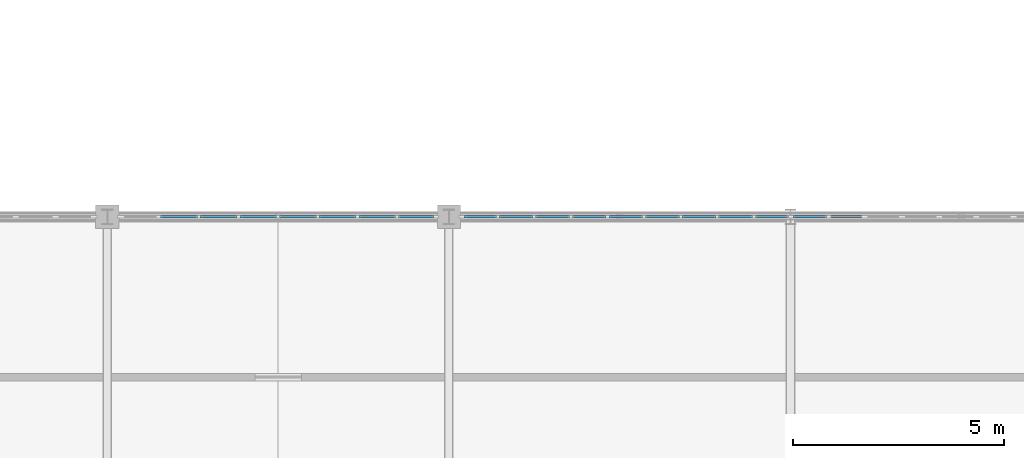
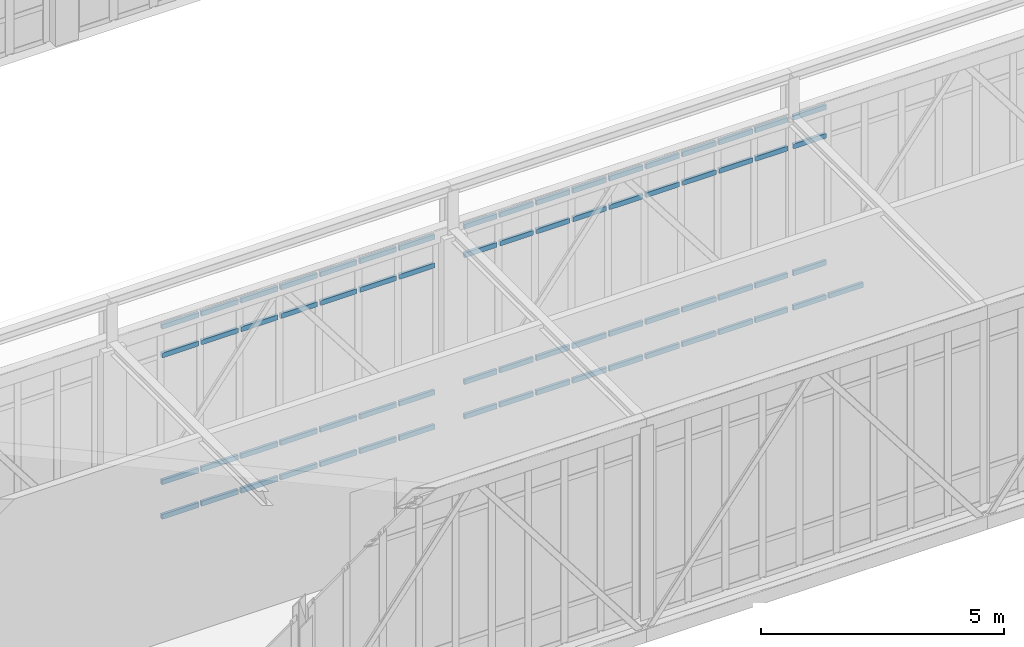
# One storey, part 59 of 107: 69 members, 3 elements without a shape of their own.
"""IFC4 building model written with IfcOpenShell, lengths in metres."""

import ifcopenshell
import ifcopenshell.guid

model = None  # the IFC model being written
_history = None  # IfcOwnerHistory: only IFC2X3 demands one
_inside = {}  # id of a spatial element -> (the spatial element, [elements in it])
_under = {}  # id of a project, library or spatial element -> (it, [spatial elements below it])
_declared = {}  # id of a project -> (the project, [libraries it declares])
_typed = {}  # id of a type object -> (the type object, [elements of that type])
_made_of = {}  # id of a material, layer set ... -> (it, [elements and type objects made of it])


def new_model(schema):
    """Start an empty IFC model of exactly this schema.

    Asked for "IFC4X3", IfcOpenShell would pick the latest addendum, in which some entities
    have other attributes; the version numbers below select the first issue.
    IFC2X3 requires an IfcOwnerHistory on every rooted entity: one is made here for all.
    """
    global model, _history
    if schema == "IFC4X3":
        model = ifcopenshell.file(schema_version=(4, 3, 0, 0))
    else:
        model = ifcopenshell.file(schema=schema)
    _inside.clear()
    _under.clear()
    _declared.clear()
    _typed.clear()
    _made_of.clear()
    _history = None
    if model.schema == "IFC2X3":
        org = make("IfcOrganization", Name="unknown")
        user = make(
            "IfcPersonAndOrganization",
            ThePerson=make("IfcPerson", FamilyName="unknown"),
            TheOrganization=org,
        )
        app = make(
            "IfcApplication",
            ApplicationDeveloper=org,
            Version="unknown",
            ApplicationFullName="unknown",
            ApplicationIdentifier="unknown",
        )
        _history = make(
            "IfcOwnerHistory",
            OwningUser=user,
            OwningApplication=app,
            ChangeAction="ADDED",
            CreationDate=0,
        )
    return model


def make(cls, **values):
    """One entity of the class cls with the attributes given. An attribute that is None is left unset."""
    return model.create_entity(
        cls, **{name: value for name, value in values.items() if value is not None}
    )


def rooted(cls, **values):
    """An entity with a GlobalId (a new one), such as an element, a storey or a relation."""
    return make(cls, GlobalId=ifcopenshell.guid.new(), OwnerHistory=_history, **values)


def si_unit(unit_type, name, prefix=None):
    """IfcSIUnit, for example si_unit("LENGTHUNIT", "METRE", prefix="MILLI")."""
    return make("IfcSIUnit", UnitType=unit_type, Prefix=prefix, Name=name)


def assignment(units):
    """IfcUnitAssignment: the units of a project."""
    return None if units is None else make("IfcUnitAssignment", Units=units)


def point(xyz):
    """IfcCartesianPoint."""
    return None if xyz is None else make("IfcCartesianPoint", Coordinates=xyz)


def direction(xyz):
    """IfcDirection."""
    return None if xyz is None else make("IfcDirection", DirectionRatios=xyz)


def frame(location, z_axis=None, x_axis=None):
    """IfcAxis2Placement3D, a coordinate frame: its origin and axes. An axis left out is left unset."""
    return make(
        "IfcAxis2Placement3D",
        Location=point(location),
        Axis=direction(z_axis),
        RefDirection=direction(x_axis),
    )


def frame_2d(location, x_axis=None):
    """IfcAxis2Placement2D, a coordinate frame in the plane: its origin and x axis."""
    return make(
        "IfcAxis2Placement2D", Location=point(location), RefDirection=direction(x_axis)
    )


def origin():
    """The frame at (0, 0, 0) with its axes left unset."""
    return frame((0.0, 0.0, 0.0))


def origin_2d():
    """The frame at (0, 0) in the plane with its x axis left unset."""
    return frame_2d((0.0, 0.0))


def place(relative_to, where):
    """IfcLocalPlacement: puts the frame where relative to a parent placement (None: the world)."""
    return make(
        "IfcLocalPlacement", PlacementRelTo=relative_to, RelativePlacement=where
    )


def context(
    kind, dimensions, precision=None, world=None, true_north=None, identifier=None
):
    """IfcGeometricRepresentationContext, for example the 3D "Model" context."""
    return make(
        "IfcGeometricRepresentationContext",
        ContextIdentifier=identifier,
        ContextType=kind,
        CoordinateSpaceDimension=dimensions,
        Precision=precision,
        WorldCoordinateSystem=world,
        TrueNorth=true_north,
    )


def subcontext(parent, identifier, kind, view, scale=None):
    """IfcGeometricRepresentationSubContext, for example "Body" below "Model"."""
    return make(
        "IfcGeometricRepresentationSubContext",
        ContextIdentifier=identifier,
        ContextType=kind,
        ParentContext=parent,
        TargetScale=scale,
        TargetView=view,
    )


def project(units=None, contexts=None):
    """IfcProject with its units and contexts."""
    return rooted(
        "IfcProject",
        Name="project",
        RepresentationContexts=contexts,
        UnitsInContext=assignment(units),
    )


def spatial(cls, under=None, at=None, **own):
    """A site, building, storey or space (cls), placed at a placement, below another one or the project."""
    s = rooted(cls, ObjectPlacement=at, **own)
    if under is not None:
        _under.setdefault(under.id(), (under, []))[1].append(s)
    return s


def profile(cls, at=None, kind="AREA", **sizes):
    """A parametric profile (cls). Its sizes go by their IFC names, for example OverallWidth=200.0."""
    return make(cls, ProfileType=kind, Position=at, **sizes)


def rectangle(**sizes):
    """IfcRectangleProfileDef."""
    return profile("IfcRectangleProfileDef", **sizes)


def extrude(swept, where, along, depth):
    """IfcExtrudedAreaSolid: the profile swept, set in the frame where, extruded along a direction by depth."""
    return make(
        "IfcExtrudedAreaSolid",
        SweptArea=swept,
        Position=where,
        ExtrudedDirection=direction(along),
        Depth=depth,
    )


def shape(context_of_items, identifier, shape_type, items):
    """IfcShapeRepresentation: the items that make up one representation, for example the "Body"."""
    return make(
        "IfcShapeRepresentation",
        ContextOfItems=context_of_items,
        RepresentationIdentifier=identifier,
        RepresentationType=shape_type,
        Items=items,
    )


def material(Name=None, Category=None):
    """IfcMaterial."""
    return make("IfcMaterial", Name=Name, Category=Category)


def material_profile(
    of_material, cross_section, Name=None, Category=None, Priority=None
):
    """IfcMaterialProfile: a cross section and its material."""
    return make(
        "IfcMaterialProfile",
        Name=Name,
        Material=of_material,
        Profile=cross_section,
        Priority=Priority,
        Category=Category,
    )


def profile_set(profiles, Name=None, composite=None):
    """IfcMaterialProfileSet."""
    return make(
        "IfcMaterialProfileSet",
        Name=Name,
        MaterialProfiles=profiles,
        CompositeProfile=composite,
    )


def made_of(thing, what):
    """Note that an element or type object is made of a material, layer set ...; save() writes the relation."""
    if what is not None:
        _made_of.setdefault(what.id(), (what, []))[1].append(thing)
    return thing


def type_object(cls, material=None, **own):
    """A type object (cls), such as IfcWallType, which elements share."""
    return made_of(rooted(cls, **own), material)


def element(
    cls,
    number,
    at=None,
    inside=None,
    cuts=None,
    type_object=None,
    material=None,
    context=None,
    identifier="Body",
    shape_type=None,
    held_by="IfcProductDefinitionShape",
    body=None,
    shapes=None,
    **own,
):
    """One element of the class cls, such as IfcWall. Its Tag is "e" and its number.

    at: its placement. inside: the storey or other place that contains it. cuts: it is an
    opening in that element (IfcRelVoidsElement). A single representation is given by context,
    identifier, shape_type and body (its items); several are given by shapes. held_by: the class
    of the entity that holds the representations. save() writes the other relations.
    """
    e = rooted(cls, Tag="e%d" % number, ObjectPlacement=at, **own)
    if body is not None:
        shapes = [shape(context, identifier, shape_type, body)]
    if shapes is not None:
        e.Representation = make(held_by, Representations=shapes)
    if inside is not None:
        _inside.setdefault(inside.id(), (inside, []))[1].append(e)
    if cuts is not None:
        rooted(
            "IfcRelVoidsElement", RelatingBuildingElement=cuts, RelatedOpeningElement=e
        )
    if type_object is not None:
        _typed.setdefault(type_object.id(), (type_object, []))[1].append(e)
    return made_of(e, material)


def aggregate(whole, parts):
    """IfcRelAggregates: a whole, such as a stair, and the parts it consists of."""
    return rooted("IfcRelAggregates", RelatingObject=whole, RelatedObjects=parts)


def save(model, path):
    """Write the relations noted so far, then the file.

    IfcRelAggregates (storeys below a building ...), IfcRelContainedInSpatialStructure (elements
    in a storey), IfcRelDefinesByType, IfcRelAssociatesMaterial and IfcRelDeclares: one each for
    every whole, place, type object, material and project.
    """
    for whole, parts in _under.values():
        aggregate(whole, parts)
    for where, things in _inside.values():
        rooted(
            "IfcRelContainedInSpatialStructure",
            RelatedElements=things,
            RelatingStructure=where,
        )
    for kind, things in _typed.values():
        rooted("IfcRelDefinesByType", RelatedObjects=things, RelatingType=kind)
    for what, things in _made_of.values():
        rooted("IfcRelAssociatesMaterial", RelatedObjects=things, RelatingMaterial=what)
    for by, libraries in _declared.values():
        rooted("IfcRelDeclares", RelatingContext=by, RelatedDefinitions=libraries)
    model.write(path)


model = new_model("IFC4")

# Units and contexts
model_context = context("Model", 3, precision=1e-05, world=origin(), true_north=direction((0.0, 1.0)))
body_context = subcontext(model_context, "Body", "Model", "MODEL_VIEW")
ifc_project = project(units=[si_unit("LENGTHUNIT", "METRE"), si_unit("AREAUNIT", "SQUARE_METRE"), si_unit("VOLUMEUNIT", "CUBIC_METRE"), si_unit("PLANEANGLEUNIT", "RADIAN"), si_unit("MASSUNIT", "GRAM", prefix="KILO")], contexts=[model_context])

# Site, building, storey
site_placement = place(None, origin())
site = spatial("IfcSite", under=ifc_project, at=site_placement, CompositionType="ELEMENT")
building_placement = place(site_placement, origin())
building = spatial("IfcBuilding", under=site, at=building_placement, Name="Tarnveldt Square Police Headquarters", CompositionType="ELEMENT")
storey_placement = place(building_placement, frame((0.0, 0.0, 14.699951171875)))
storey = spatial("IfcBuildingStorey", under=building, at=storey_placement, Name="L03", CompositionType="ELEMENT", Elevation=14.699951171875)

# Curtain wall, members
ifc_material_1 = material(Name="Triple-glazed low-e laminated vision glass", Category="glass")
curtain_wall_type_1 = type_object("IfcCurtainWallType", Name="CW-SB-752x484", PredefinedType="USERDEFINED", material=ifc_material_1)
curtain_wall_1_placement = place(storey_placement, origin())
curtain_wall_1 = element("IfcCurtainWall", 1, at=curtain_wall_1_placement, inside=storey, type_object=curtain_wall_type_1, Name="L03 Curtain Wall CW-L03-162", ObjectType="GLAZED CURTAIN WALL", PredefinedType="USERDEFINED")
ifc_material_2 = material(Name="Thermally broken anodised aluminium 6063-T6", Category="aluminium")
ifc_material_profile = material_profile(ifc_material_2, rectangle(XDim=0.06494140625, YDim=0.1201171875, at=origin_2d()), Name="CW-T65x120")
ifc_profile_set = profile_set([ifc_material_profile], Name="Thermally broken anodised aluminium 6063-T6")
member_type = type_object("IfcMemberType", Name="CWT-65x120", PredefinedType="USERDEFINED", material=ifc_profile_set)
member_1_placement = place(storey_placement, frame((74.16259765625, 80.0, 0.032470703125), z_axis=(1.0, 0.0, 0.0), x_axis=(0.0, 1.0, 0.0)))
member_1 = element("IfcMember", 2, at=member_1_placement, type_object=member_type, Name="CW-SB95 transom 2.1", ObjectType="TRANSOM", PredefinedType="USERDEFINED", context=body_context, shape_type="SweptSolid", body=[
    extrude(rectangle(XDim=0.06494140625, YDim=0.1201171875, at=origin_2d()), origin(), (0.0, 0.0, 1.0), 0.875),
])
member_2_placement = place(storey_placement, frame((74.16259765625, 80.0, 0.900146484375), z_axis=(1.0, 0.0, 0.0), x_axis=(0.0, 1.0, 0.0)))
member_2 = element("IfcMember", 3, at=member_2_placement, type_object=member_type, Name="CW-SB95 transom 2.2", ObjectType="TRANSOM", PredefinedType="USERDEFINED", context=body_context, shape_type="SweptSolid", body=[
    extrude(rectangle(XDim=0.06494140625, YDim=0.1201171875, at=origin_2d()), origin(), (0.0, 0.0, 1.0), 0.875),
])
member_3_placement = place(storey_placement, frame((74.16259765625, 80.0, 4.090087890625), z_axis=(1.0, 0.0, 0.0), x_axis=(0.0, 1.0, 0.0)))
member_3 = element("IfcMember", 4, at=member_3_placement, type_object=member_type, Name="CW-SB95 transom 2.3", ObjectType="TRANSOM", PredefinedType="USERDEFINED", context=body_context, shape_type="SweptSolid", body=[
    extrude(rectangle(XDim=0.06494140625, YDim=0.1201171875, at=origin_2d()), origin(), (0.0, 0.0, 1.0), 0.875),
])
member_4_placement = place(storey_placement, frame((74.16259765625, 80.0, 4.8076171875), z_axis=(1.0, 0.0, 0.0), x_axis=(0.0, 1.0, 0.0)))
member_4 = element("IfcMember", 5, at=member_4_placement, type_object=member_type, Name="CW-SB95 transom 2.4", ObjectType="TRANSOM", PredefinedType="USERDEFINED", context=body_context, shape_type="SweptSolid", body=[
    extrude(rectangle(XDim=0.06494140625, YDim=0.1201171875, at=origin_2d()), origin(), (0.0, 0.0, 1.0), 0.875),
])
member_5_placement = place(storey_placement, frame((75.1025390625, 80.0, 0.032470703125), z_axis=(1.0, 0.0, 0.0), x_axis=(0.0, 1.0, 0.0)))
member_5 = element("IfcMember", 6, at=member_5_placement, type_object=member_type, Name="CW-SB95 transom 3.1", ObjectType="TRANSOM", PredefinedType="USERDEFINED", context=body_context, shape_type="SweptSolid", body=[
    extrude(rectangle(XDim=0.06494140625, YDim=0.1201171875, at=origin_2d()), origin(), (0.0, 0.0, 1.0), 0.875),
])
member_6_placement = place(storey_placement, frame((75.1025390625, 80.0, 0.900146484375), z_axis=(1.0, 0.0, 0.0), x_axis=(0.0, 1.0, 0.0)))
member_6 = element("IfcMember", 7, at=member_6_placement, type_object=member_type, Name="CW-SB95 transom 3.2", ObjectType="TRANSOM", PredefinedType="USERDEFINED", context=body_context, shape_type="SweptSolid", body=[
    extrude(rectangle(XDim=0.06494140625, YDim=0.1201171875, at=origin_2d()), origin(), (0.0, 0.0, 1.0), 0.875),
])
member_7_placement = place(storey_placement, frame((75.1025390625, 80.0, 4.090087890625), z_axis=(1.0, 0.0, 0.0), x_axis=(0.0, 1.0, 0.0)))
member_7 = element("IfcMember", 8, at=member_7_placement, type_object=member_type, Name="CW-SB95 transom 3.3", ObjectType="TRANSOM", PredefinedType="USERDEFINED", context=body_context, shape_type="SweptSolid", body=[
    extrude(rectangle(XDim=0.06494140625, YDim=0.1201171875, at=origin_2d()), origin(), (0.0, 0.0, 1.0), 0.875),
])
member_8_placement = place(storey_placement, frame((75.1025390625, 80.0, 4.8076171875), z_axis=(1.0, 0.0, 0.0), x_axis=(0.0, 1.0, 0.0)))
member_8 = element("IfcMember", 9, at=member_8_placement, type_object=member_type, Name="CW-SB95 transom 3.4", ObjectType="TRANSOM", PredefinedType="USERDEFINED", context=body_context, shape_type="SweptSolid", body=[
    extrude(rectangle(XDim=0.06494140625, YDim=0.1201171875, at=origin_2d()), origin(), (0.0, 0.0, 1.0), 0.875),
])
member_9_placement = place(storey_placement, frame((76.04248046875, 80.0, 0.032470703125), z_axis=(1.0, 0.0, 0.0), x_axis=(0.0, 1.0, 0.0)))
member_9 = element("IfcMember", 10, at=member_9_placement, type_object=member_type, Name="CW-SB95 transom 4.1", ObjectType="TRANSOM", PredefinedType="USERDEFINED", context=body_context, shape_type="SweptSolid", body=[
    extrude(rectangle(XDim=0.06494140625, YDim=0.1201171875, at=origin_2d()), origin(), (0.0, 0.0, 1.0), 0.875),
])
member_10_placement = place(storey_placement, frame((76.04248046875, 80.0, 0.900146484375), z_axis=(1.0, 0.0, 0.0), x_axis=(0.0, 1.0, 0.0)))
member_10 = element("IfcMember", 11, at=member_10_placement, type_object=member_type, Name="CW-SB95 transom 4.2", ObjectType="TRANSOM", PredefinedType="USERDEFINED", context=body_context, shape_type="SweptSolid", body=[
    extrude(rectangle(XDim=0.06494140625, YDim=0.1201171875, at=origin_2d()), origin(), (0.0, 0.0, 1.0), 0.875),
])
member_11_placement = place(storey_placement, frame((76.04248046875, 80.0, 4.090087890625), z_axis=(1.0, 0.0, 0.0), x_axis=(0.0, 1.0, 0.0)))
member_11 = element("IfcMember", 12, at=member_11_placement, type_object=member_type, Name="CW-SB95 transom 4.3", ObjectType="TRANSOM", PredefinedType="USERDEFINED", context=body_context, shape_type="SweptSolid", body=[
    extrude(rectangle(XDim=0.06494140625, YDim=0.1201171875, at=origin_2d()), origin(), (0.0, 0.0, 1.0), 0.875),
])
member_12_placement = place(storey_placement, frame((76.04248046875, 80.0, 4.8076171875), z_axis=(1.0, 0.0, 0.0), x_axis=(0.0, 1.0, 0.0)))
member_12 = element("IfcMember", 13, at=member_12_placement, type_object=member_type, Name="CW-SB95 transom 4.4", ObjectType="TRANSOM", PredefinedType="USERDEFINED", context=body_context, shape_type="SweptSolid", body=[
    extrude(rectangle(XDim=0.06494140625, YDim=0.1201171875, at=origin_2d()), origin(), (0.0, 0.0, 1.0), 0.875),
])
member_13_placement = place(storey_placement, frame((76.982421875, 80.0, 0.032470703125), z_axis=(1.0, 0.0, 0.0), x_axis=(0.0, 1.0, 0.0)))
member_13 = element("IfcMember", 14, at=member_13_placement, type_object=member_type, Name="CW-SB95 transom 5.1", ObjectType="TRANSOM", PredefinedType="USERDEFINED", context=body_context, shape_type="SweptSolid", body=[
    extrude(rectangle(XDim=0.06494140625, YDim=0.1201171875, at=origin_2d()), origin(), (0.0, 0.0, 1.0), 0.875),
])
member_14_placement = place(storey_placement, frame((76.982421875, 80.0, 0.900146484375), z_axis=(1.0, 0.0, 0.0), x_axis=(0.0, 1.0, 0.0)))
member_14 = element("IfcMember", 15, at=member_14_placement, type_object=member_type, Name="CW-SB95 transom 5.2", ObjectType="TRANSOM", PredefinedType="USERDEFINED", context=body_context, shape_type="SweptSolid", body=[
    extrude(rectangle(XDim=0.06494140625, YDim=0.1201171875, at=origin_2d()), origin(), (0.0, 0.0, 1.0), 0.875),
])
member_15_placement = place(storey_placement, frame((76.982421875, 80.0, 4.090087890625), z_axis=(1.0, 0.0, 0.0), x_axis=(0.0, 1.0, 0.0)))
member_15 = element("IfcMember", 16, at=member_15_placement, type_object=member_type, Name="CW-SB95 transom 5.3", ObjectType="TRANSOM", PredefinedType="USERDEFINED", context=body_context, shape_type="SweptSolid", body=[
    extrude(rectangle(XDim=0.06494140625, YDim=0.1201171875, at=origin_2d()), origin(), (0.0, 0.0, 1.0), 0.875),
])
member_16_placement = place(storey_placement, frame((76.982421875, 80.0, 4.8076171875), z_axis=(1.0, 0.0, 0.0), x_axis=(0.0, 1.0, 0.0)))
member_16 = element("IfcMember", 17, at=member_16_placement, type_object=member_type, Name="CW-SB95 transom 5.4", ObjectType="TRANSOM", PredefinedType="USERDEFINED", context=body_context, shape_type="SweptSolid", body=[
    extrude(rectangle(XDim=0.06494140625, YDim=0.1201171875, at=origin_2d()), origin(), (0.0, 0.0, 1.0), 0.875),
])
member_17_placement = place(storey_placement, frame((77.922607421875, 80.0, 0.032470703125), z_axis=(1.0, 0.0, 0.0), x_axis=(0.0, 1.0, 0.0)))
member_17 = element("IfcMember", 18, at=member_17_placement, type_object=member_type, Name="CW-SB95 transom 6.1", ObjectType="TRANSOM", PredefinedType="USERDEFINED", context=body_context, shape_type="SweptSolid", body=[
    extrude(rectangle(XDim=0.06494140625, YDim=0.1201171875, at=origin_2d()), origin(), (0.0, 0.0, 1.0), 0.875),
])
member_18_placement = place(storey_placement, frame((77.922607421875, 80.0, 0.900146484375), z_axis=(1.0, 0.0, 0.0), x_axis=(0.0, 1.0, 0.0)))
member_18 = element("IfcMember", 19, at=member_18_placement, type_object=member_type, Name="CW-SB95 transom 6.2", ObjectType="TRANSOM", PredefinedType="USERDEFINED", context=body_context, shape_type="SweptSolid", body=[
    extrude(rectangle(XDim=0.06494140625, YDim=0.1201171875, at=origin_2d()), origin(), (0.0, 0.0, 1.0), 0.875),
])
member_19_placement = place(storey_placement, frame((77.922607421875, 80.0, 4.090087890625), z_axis=(1.0, 0.0, 0.0), x_axis=(0.0, 1.0, 0.0)))
member_19 = element("IfcMember", 20, at=member_19_placement, type_object=member_type, Name="CW-SB95 transom 6.3", ObjectType="TRANSOM", PredefinedType="USERDEFINED", context=body_context, shape_type="SweptSolid", body=[
    extrude(rectangle(XDim=0.06494140625, YDim=0.1201171875, at=origin_2d()), origin(), (0.0, 0.0, 1.0), 0.875),
])
member_20_placement = place(storey_placement, frame((77.922607421875, 80.0, 4.8076171875), z_axis=(1.0, 0.0, 0.0), x_axis=(0.0, 1.0, 0.0)))
member_20 = element("IfcMember", 21, at=member_20_placement, type_object=member_type, Name="CW-SB95 transom 6.4", ObjectType="TRANSOM", PredefinedType="USERDEFINED", context=body_context, shape_type="SweptSolid", body=[
    extrude(rectangle(XDim=0.06494140625, YDim=0.1201171875, at=origin_2d()), origin(), (0.0, 0.0, 1.0), 0.875),
])
member_21_placement = place(storey_placement, frame((78.862548828125, 80.0, 0.032470703125), z_axis=(1.0, 0.0, 0.0), x_axis=(0.0, 1.0, 0.0)))
member_21 = element("IfcMember", 22, at=member_21_placement, type_object=member_type, Name="CW-SB95 transom 7.1", ObjectType="TRANSOM", PredefinedType="USERDEFINED", context=body_context, shape_type="SweptSolid", body=[
    extrude(rectangle(XDim=0.06494140625, YDim=0.1201171875, at=origin_2d()), origin(), (0.0, 0.0, 1.0), 0.875),
])
member_22_placement = place(storey_placement, frame((78.862548828125, 80.0, 0.900146484375), z_axis=(1.0, 0.0, 0.0), x_axis=(0.0, 1.0, 0.0)))
member_22 = element("IfcMember", 23, at=member_22_placement, type_object=member_type, Name="CW-SB95 transom 7.2", ObjectType="TRANSOM", PredefinedType="USERDEFINED", context=body_context, shape_type="SweptSolid", body=[
    extrude(rectangle(XDim=0.06494140625, YDim=0.1201171875, at=origin_2d()), origin(), (0.0, 0.0, 1.0), 0.875),
])
member_23_placement = place(storey_placement, frame((78.862548828125, 80.0, 4.090087890625), z_axis=(1.0, 0.0, 0.0), x_axis=(0.0, 1.0, 0.0)))
member_23 = element("IfcMember", 24, at=member_23_placement, type_object=member_type, Name="CW-SB95 transom 7.3", ObjectType="TRANSOM", PredefinedType="USERDEFINED", context=body_context, shape_type="SweptSolid", body=[
    extrude(rectangle(XDim=0.06494140625, YDim=0.1201171875, at=origin_2d()), origin(), (0.0, 0.0, 1.0), 0.875),
])
member_24_placement = place(storey_placement, frame((78.862548828125, 80.0, 4.8076171875), z_axis=(1.0, 0.0, 0.0), x_axis=(0.0, 1.0, 0.0)))
member_24 = element("IfcMember", 25, at=member_24_placement, type_object=member_type, Name="CW-SB95 transom 7.4", ObjectType="TRANSOM", PredefinedType="USERDEFINED", context=body_context, shape_type="SweptSolid", body=[
    extrude(rectangle(XDim=0.06494140625, YDim=0.1201171875, at=origin_2d()), origin(), (0.0, 0.0, 1.0), 0.875),
])
member_25_placement = place(storey_placement, frame((79.802490234375, 80.0, 0.032470703125), z_axis=(1.0, 0.0, 0.0), x_axis=(0.0, 1.0, 0.0)))
member_25 = element("IfcMember", 26, at=member_25_placement, type_object=member_type, Name="CW-SB95 transom 8.1", ObjectType="TRANSOM", PredefinedType="USERDEFINED", context=body_context, shape_type="SweptSolid", body=[
    extrude(rectangle(XDim=0.06494140625, YDim=0.1201171875, at=origin_2d()), origin(), (0.0, 0.0, 1.0), 0.842529296875),
])
member_26_placement = place(storey_placement, frame((79.802490234375, 80.0, 0.900146484375), z_axis=(1.0, 0.0, 0.0), x_axis=(0.0, 1.0, 0.0)))
member_26 = element("IfcMember", 27, at=member_26_placement, type_object=member_type, Name="CW-SB95 transom 8.2", ObjectType="TRANSOM", PredefinedType="USERDEFINED", context=body_context, shape_type="SweptSolid", body=[
    extrude(rectangle(XDim=0.06494140625, YDim=0.1201171875, at=origin_2d()), origin(), (0.0, 0.0, 1.0), 0.842529296875),
])
member_27_placement = place(storey_placement, frame((79.802490234375, 80.0, 4.090087890625), z_axis=(1.0, 0.0, 0.0), x_axis=(0.0, 1.0, 0.0)))
member_27 = element("IfcMember", 28, at=member_27_placement, type_object=member_type, Name="CW-SB95 transom 8.3", ObjectType="TRANSOM", PredefinedType="USERDEFINED", context=body_context, shape_type="SweptSolid", body=[
    extrude(rectangle(XDim=0.06494140625, YDim=0.1201171875, at=origin_2d()), origin(), (0.0, 0.0, 1.0), 0.842529296875),
])
member_28_placement = place(storey_placement, frame((79.802490234375, 80.0, 4.8076171875), z_axis=(1.0, 0.0, 0.0), x_axis=(0.0, 1.0, 0.0)))
member_28 = element("IfcMember", 29, at=member_28_placement, type_object=member_type, Name="CW-SB95 transom 8.4", ObjectType="TRANSOM", PredefinedType="USERDEFINED", context=body_context, shape_type="SweptSolid", body=[
    extrude(rectangle(XDim=0.06494140625, YDim=0.1201171875, at=origin_2d()), origin(), (0.0, 0.0, 1.0), 0.842529296875),
])
aggregate(curtain_wall_1, [member_1, member_2, member_3, member_4, member_5, member_6, member_7, member_8, member_9, member_10, member_11, member_12, member_13, member_14, member_15, member_16, member_17, member_18, member_19, member_20, member_21, member_22, member_23, member_24, member_25, member_26, member_27, member_28])

curtain_wall_type_2 = type_object("IfcCurtainWallType", Name="CW-SB-781x484", PredefinedType="USERDEFINED", material=ifc_material_1)
curtain_wall_2_placement = place(storey_placement, origin())
curtain_wall_2 = element("IfcCurtainWall", 30, at=curtain_wall_2_placement, inside=storey, type_object=curtain_wall_type_2, Name="L03 Curtain Wall CW-L03-163", ObjectType="GLAZED CURTAIN WALL", PredefinedType="USERDEFINED")
member_29_placement = place(storey_placement, frame((81.35498046875, 80.0, 0.032470703125), z_axis=(1.0, 0.0, 0.0), x_axis=(0.0, 1.0, 0.0)))
member_29 = element("IfcMember", 31, at=member_29_placement, type_object=member_type, Name="CW-SB92 transom 1.1", ObjectType="TRANSOM", PredefinedType="USERDEFINED", context=body_context, shape_type="SweptSolid", body=[
    extrude(rectangle(XDim=0.06494140625, YDim=0.1201171875, at=origin_2d()), origin(), (0.0, 0.0, 1.0), 0.770263671875),
])
member_30_placement = place(storey_placement, frame((81.35498046875, 80.0, 0.900146484375), z_axis=(1.0, 0.0, 0.0), x_axis=(0.0, 1.0, 0.0)))
member_30 = element("IfcMember", 32, at=member_30_placement, type_object=member_type, Name="CW-SB92 transom 1.2", ObjectType="TRANSOM", PredefinedType="USERDEFINED", context=body_context, shape_type="SweptSolid", body=[
    extrude(rectangle(XDim=0.06494140625, YDim=0.1201171875, at=origin_2d()), origin(), (0.0, 0.0, 1.0), 0.770263671875),
])
member_31_placement = place(storey_placement, frame((81.35498046875, 80.0, 4.090087890625), z_axis=(1.0, 0.0, 0.0), x_axis=(0.0, 1.0, 0.0)))
member_31 = element("IfcMember", 33, at=member_31_placement, type_object=member_type, Name="CW-SB92 transom 1.3", ObjectType="TRANSOM", PredefinedType="USERDEFINED", context=body_context, shape_type="SweptSolid", body=[
    extrude(rectangle(XDim=0.06494140625, YDim=0.1201171875, at=origin_2d()), origin(), (0.0, 0.0, 1.0), 0.770263671875),
])
member_32_placement = place(storey_placement, frame((81.35498046875, 80.0, 4.8076171875), z_axis=(1.0, 0.0, 0.0), x_axis=(0.0, 1.0, 0.0)))
member_32 = element("IfcMember", 34, at=member_32_placement, type_object=member_type, Name="CW-SB92 transom 1.4", ObjectType="TRANSOM", PredefinedType="USERDEFINED", context=body_context, shape_type="SweptSolid", body=[
    extrude(rectangle(XDim=0.06494140625, YDim=0.1201171875, at=origin_2d()), origin(), (0.0, 0.0, 1.0), 0.770263671875),
])
member_33_placement = place(storey_placement, frame((82.190185546875, 80.0, 0.032470703125), z_axis=(1.0, 0.0, 0.0), x_axis=(0.0, 1.0, 0.0)))
member_33 = element("IfcMember", 35, at=member_33_placement, type_object=member_type, Name="CW-SB92 transom 2.1", ObjectType="TRANSOM", PredefinedType="USERDEFINED", context=body_context, shape_type="SweptSolid", body=[
    extrude(rectangle(XDim=0.06494140625, YDim=0.1201171875, at=origin_2d()), origin(), (0.0, 0.0, 1.0), 0.802978515625),
])
member_34_placement = place(storey_placement, frame((82.190185546875, 80.0, 0.900146484375), z_axis=(1.0, 0.0, 0.0), x_axis=(0.0, 1.0, 0.0)))
member_34 = element("IfcMember", 36, at=member_34_placement, type_object=member_type, Name="CW-SB92 transom 2.2", ObjectType="TRANSOM", PredefinedType="USERDEFINED", context=body_context, shape_type="SweptSolid", body=[
    extrude(rectangle(XDim=0.06494140625, YDim=0.1201171875, at=origin_2d()), origin(), (0.0, 0.0, 1.0), 0.802978515625),
])
member_35_placement = place(storey_placement, frame((82.190185546875, 80.0, 4.090087890625), z_axis=(1.0, 0.0, 0.0), x_axis=(0.0, 1.0, 0.0)))
member_35 = element("IfcMember", 37, at=member_35_placement, type_object=member_type, Name="CW-SB92 transom 2.3", ObjectType="TRANSOM", PredefinedType="USERDEFINED", context=body_context, shape_type="SweptSolid", body=[
    extrude(rectangle(XDim=0.06494140625, YDim=0.1201171875, at=origin_2d()), origin(), (0.0, 0.0, 1.0), 0.802978515625),
])
member_36_placement = place(storey_placement, frame((82.190185546875, 80.0, 4.8076171875), z_axis=(1.0, 0.0, 0.0), x_axis=(0.0, 1.0, 0.0)))
member_36 = element("IfcMember", 38, at=member_36_placement, type_object=member_type, Name="CW-SB92 transom 2.4", ObjectType="TRANSOM", PredefinedType="USERDEFINED", context=body_context, shape_type="SweptSolid", body=[
    extrude(rectangle(XDim=0.06494140625, YDim=0.1201171875, at=origin_2d()), origin(), (0.0, 0.0, 1.0), 0.802978515625),
])
member_37_placement = place(storey_placement, frame((83.05810546875, 80.0, 0.032470703125), z_axis=(1.0, 0.0, 0.0), x_axis=(0.0, 1.0, 0.0)))
member_37 = element("IfcMember", 39, at=member_37_placement, type_object=member_type, Name="CW-SB92 transom 3.1", ObjectType="TRANSOM", PredefinedType="USERDEFINED", context=body_context, shape_type="SweptSolid", body=[
    extrude(rectangle(XDim=0.06494140625, YDim=0.1201171875, at=origin_2d()), origin(), (0.0, 0.0, 1.0), 0.802734375),
])
member_38_placement = place(storey_placement, frame((83.05810546875, 80.0, 0.900146484375), z_axis=(1.0, 0.0, 0.0), x_axis=(0.0, 1.0, 0.0)))
member_38 = element("IfcMember", 40, at=member_38_placement, type_object=member_type, Name="CW-SB92 transom 3.2", ObjectType="TRANSOM", PredefinedType="USERDEFINED", context=body_context, shape_type="SweptSolid", body=[
    extrude(rectangle(XDim=0.06494140625, YDim=0.1201171875, at=origin_2d()), origin(), (0.0, 0.0, 1.0), 0.802734375),
])
member_39_placement = place(storey_placement, frame((83.05810546875, 80.0, 4.090087890625), z_axis=(1.0, 0.0, 0.0), x_axis=(0.0, 1.0, 0.0)))
member_39 = element("IfcMember", 41, at=member_39_placement, type_object=member_type, Name="CW-SB92 transom 3.3", ObjectType="TRANSOM", PredefinedType="USERDEFINED", context=body_context, shape_type="SweptSolid", body=[
    extrude(rectangle(XDim=0.06494140625, YDim=0.1201171875, at=origin_2d()), origin(), (0.0, 0.0, 1.0), 0.802734375),
])
member_40_placement = place(storey_placement, frame((83.05810546875, 80.0, 4.8076171875), z_axis=(1.0, 0.0, 0.0), x_axis=(0.0, 1.0, 0.0)))
member_40 = element("IfcMember", 42, at=member_40_placement, type_object=member_type, Name="CW-SB92 transom 3.4", ObjectType="TRANSOM", PredefinedType="USERDEFINED", context=body_context, shape_type="SweptSolid", body=[
    extrude(rectangle(XDim=0.06494140625, YDim=0.1201171875, at=origin_2d()), origin(), (0.0, 0.0, 1.0), 0.802734375),
])
member_41_placement = place(storey_placement, frame((83.92578125, 80.0, 0.032470703125), z_axis=(1.0, 0.0, 0.0), x_axis=(0.0, 1.0, 0.0)))
member_41 = element("IfcMember", 43, at=member_41_placement, type_object=member_type, Name="CW-SB92 transom 4.1", ObjectType="TRANSOM", PredefinedType="USERDEFINED", context=body_context, shape_type="SweptSolid", body=[
    extrude(rectangle(XDim=0.06494140625, YDim=0.1201171875, at=origin_2d()), origin(), (0.0, 0.0, 1.0), 0.802734375),
])
member_42_placement = place(storey_placement, frame((83.92578125, 80.0, 0.900146484375), z_axis=(1.0, 0.0, 0.0), x_axis=(0.0, 1.0, 0.0)))
member_42 = element("IfcMember", 44, at=member_42_placement, type_object=member_type, Name="CW-SB92 transom 4.2", ObjectType="TRANSOM", PredefinedType="USERDEFINED", context=body_context, shape_type="SweptSolid", body=[
    extrude(rectangle(XDim=0.06494140625, YDim=0.1201171875, at=origin_2d()), origin(), (0.0, 0.0, 1.0), 0.802734375),
])
member_43_placement = place(storey_placement, frame((83.92578125, 80.0, 4.090087890625), z_axis=(1.0, 0.0, 0.0), x_axis=(0.0, 1.0, 0.0)))
member_43 = element("IfcMember", 45, at=member_43_placement, type_object=member_type, Name="CW-SB92 transom 4.3", ObjectType="TRANSOM", PredefinedType="USERDEFINED", context=body_context, shape_type="SweptSolid", body=[
    extrude(rectangle(XDim=0.06494140625, YDim=0.1201171875, at=origin_2d()), origin(), (0.0, 0.0, 1.0), 0.802734375),
])
member_44_placement = place(storey_placement, frame((83.92578125, 80.0, 4.8076171875), z_axis=(1.0, 0.0, 0.0), x_axis=(0.0, 1.0, 0.0)))
member_44 = element("IfcMember", 46, at=member_44_placement, type_object=member_type, Name="CW-SB92 transom 4.4", ObjectType="TRANSOM", PredefinedType="USERDEFINED", context=body_context, shape_type="SweptSolid", body=[
    extrude(rectangle(XDim=0.06494140625, YDim=0.1201171875, at=origin_2d()), origin(), (0.0, 0.0, 1.0), 0.802734375),
])
member_45_placement = place(storey_placement, frame((84.793701171875, 80.0, 0.032470703125), z_axis=(1.0, 0.0, 0.0), x_axis=(0.0, 1.0, 0.0)))
member_45 = element("IfcMember", 47, at=member_45_placement, type_object=member_type, Name="CW-SB92 transom 5.1", ObjectType="TRANSOM", PredefinedType="USERDEFINED", context=body_context, shape_type="SweptSolid", body=[
    extrude(rectangle(XDim=0.06494140625, YDim=0.1201171875, at=origin_2d()), origin(), (0.0, 0.0, 1.0), 0.802734375),
])
member_46_placement = place(storey_placement, frame((84.793701171875, 80.0, 0.900146484375), z_axis=(1.0, 0.0, 0.0), x_axis=(0.0, 1.0, 0.0)))
member_46 = element("IfcMember", 48, at=member_46_placement, type_object=member_type, Name="CW-SB92 transom 5.2", ObjectType="TRANSOM", PredefinedType="USERDEFINED", context=body_context, shape_type="SweptSolid", body=[
    extrude(rectangle(XDim=0.06494140625, YDim=0.1201171875, at=origin_2d()), origin(), (0.0, 0.0, 1.0), 0.802734375),
])
member_47_placement = place(storey_placement, frame((84.793701171875, 80.0, 4.090087890625), z_axis=(1.0, 0.0, 0.0), x_axis=(0.0, 1.0, 0.0)))
member_47 = element("IfcMember", 49, at=member_47_placement, type_object=member_type, Name="CW-SB92 transom 5.3", ObjectType="TRANSOM", PredefinedType="USERDEFINED", context=body_context, shape_type="SweptSolid", body=[
    extrude(rectangle(XDim=0.06494140625, YDim=0.1201171875, at=origin_2d()), origin(), (0.0, 0.0, 1.0), 0.802734375),
])
member_48_placement = place(storey_placement, frame((84.793701171875, 80.0, 4.8076171875), z_axis=(1.0, 0.0, 0.0), x_axis=(0.0, 1.0, 0.0)))
member_48 = element("IfcMember", 50, at=member_48_placement, type_object=member_type, Name="CW-SB92 transom 5.4", ObjectType="TRANSOM", PredefinedType="USERDEFINED", context=body_context, shape_type="SweptSolid", body=[
    extrude(rectangle(XDim=0.06494140625, YDim=0.1201171875, at=origin_2d()), origin(), (0.0, 0.0, 1.0), 0.802734375),
])
member_49_placement = place(storey_placement, frame((85.661376953125, 80.0, 0.032470703125), z_axis=(1.0, 0.0, 0.0), x_axis=(0.0, 1.0, 0.0)))
member_49 = element("IfcMember", 51, at=member_49_placement, type_object=member_type, Name="CW-SB92 transom 6.1", ObjectType="TRANSOM", PredefinedType="USERDEFINED", context=body_context, shape_type="SweptSolid", body=[
    extrude(rectangle(XDim=0.06494140625, YDim=0.1201171875, at=origin_2d()), origin(), (0.0, 0.0, 1.0), 0.802734375),
])
member_50_placement = place(storey_placement, frame((85.661376953125, 80.0, 0.900146484375), z_axis=(1.0, 0.0, 0.0), x_axis=(0.0, 1.0, 0.0)))
member_50 = element("IfcMember", 52, at=member_50_placement, type_object=member_type, Name="CW-SB92 transom 6.2", ObjectType="TRANSOM", PredefinedType="USERDEFINED", context=body_context, shape_type="SweptSolid", body=[
    extrude(rectangle(XDim=0.06494140625, YDim=0.1201171875, at=origin_2d()), origin(), (0.0, 0.0, 1.0), 0.802734375),
])
member_51_placement = place(storey_placement, frame((85.661376953125, 80.0, 4.090087890625), z_axis=(1.0, 0.0, 0.0), x_axis=(0.0, 1.0, 0.0)))
member_51 = element("IfcMember", 53, at=member_51_placement, type_object=member_type, Name="CW-SB92 transom 6.3", ObjectType="TRANSOM", PredefinedType="USERDEFINED", context=body_context, shape_type="SweptSolid", body=[
    extrude(rectangle(XDim=0.06494140625, YDim=0.1201171875, at=origin_2d()), origin(), (0.0, 0.0, 1.0), 0.802734375),
])
member_52_placement = place(storey_placement, frame((85.661376953125, 80.0, 4.8076171875), z_axis=(1.0, 0.0, 0.0), x_axis=(0.0, 1.0, 0.0)))
member_52 = element("IfcMember", 54, at=member_52_placement, type_object=member_type, Name="CW-SB92 transom 6.4", ObjectType="TRANSOM", PredefinedType="USERDEFINED", context=body_context, shape_type="SweptSolid", body=[
    extrude(rectangle(XDim=0.06494140625, YDim=0.1201171875, at=origin_2d()), origin(), (0.0, 0.0, 1.0), 0.802734375),
])
member_53_placement = place(storey_placement, frame((86.529052734375, 80.0, 0.032470703125), z_axis=(1.0, 0.0, 0.0), x_axis=(0.0, 1.0, 0.0)))
member_53 = element("IfcMember", 55, at=member_53_placement, type_object=member_type, Name="CW-SB92 transom 7.1", ObjectType="TRANSOM", PredefinedType="USERDEFINED", context=body_context, shape_type="SweptSolid", body=[
    extrude(rectangle(XDim=0.06494140625, YDim=0.1201171875, at=origin_2d()), origin(), (0.0, 0.0, 1.0), 0.802978515625),
])
member_54_placement = place(storey_placement, frame((86.529052734375, 80.0, 0.900146484375), z_axis=(1.0, 0.0, 0.0), x_axis=(0.0, 1.0, 0.0)))
member_54 = element("IfcMember", 56, at=member_54_placement, type_object=member_type, Name="CW-SB92 transom 7.2", ObjectType="TRANSOM", PredefinedType="USERDEFINED", context=body_context, shape_type="SweptSolid", body=[
    extrude(rectangle(XDim=0.06494140625, YDim=0.1201171875, at=origin_2d()), origin(), (0.0, 0.0, 1.0), 0.802978515625),
])
member_55_placement = place(storey_placement, frame((86.529052734375, 80.0, 4.090087890625), z_axis=(1.0, 0.0, 0.0), x_axis=(0.0, 1.0, 0.0)))
member_55 = element("IfcMember", 57, at=member_55_placement, type_object=member_type, Name="CW-SB92 transom 7.3", ObjectType="TRANSOM", PredefinedType="USERDEFINED", context=body_context, shape_type="SweptSolid", body=[
    extrude(rectangle(XDim=0.06494140625, YDim=0.1201171875, at=origin_2d()), origin(), (0.0, 0.0, 1.0), 0.802978515625),
])
member_56_placement = place(storey_placement, frame((86.529052734375, 80.0, 4.8076171875), z_axis=(1.0, 0.0, 0.0), x_axis=(0.0, 1.0, 0.0)))
member_56 = element("IfcMember", 58, at=member_56_placement, type_object=member_type, Name="CW-SB92 transom 7.4", ObjectType="TRANSOM", PredefinedType="USERDEFINED", context=body_context, shape_type="SweptSolid", body=[
    extrude(rectangle(XDim=0.06494140625, YDim=0.1201171875, at=origin_2d()), origin(), (0.0, 0.0, 1.0), 0.802978515625),
])
member_57_placement = place(storey_placement, frame((87.39697265625, 80.0, 0.032470703125), z_axis=(1.0, 0.0, 0.0), x_axis=(0.0, 1.0, 0.0)))
member_57 = element("IfcMember", 59, at=member_57_placement, type_object=member_type, Name="CW-SB92 transom 8.1", ObjectType="TRANSOM", PredefinedType="USERDEFINED", context=body_context, shape_type="SweptSolid", body=[
    extrude(rectangle(XDim=0.06494140625, YDim=0.1201171875, at=origin_2d()), origin(), (0.0, 0.0, 1.0), 0.802734375),
])
member_58_placement = place(storey_placement, frame((87.39697265625, 80.0, 0.900146484375), z_axis=(1.0, 0.0, 0.0), x_axis=(0.0, 1.0, 0.0)))
member_58 = element("IfcMember", 60, at=member_58_placement, type_object=member_type, Name="CW-SB92 transom 8.2", ObjectType="TRANSOM", PredefinedType="USERDEFINED", context=body_context, shape_type="SweptSolid", body=[
    extrude(rectangle(XDim=0.06494140625, YDim=0.1201171875, at=origin_2d()), origin(), (0.0, 0.0, 1.0), 0.802734375),
])
member_59_placement = place(storey_placement, frame((87.39697265625, 80.0, 4.090087890625), z_axis=(1.0, 0.0, 0.0), x_axis=(0.0, 1.0, 0.0)))
member_59 = element("IfcMember", 61, at=member_59_placement, type_object=member_type, Name="CW-SB92 transom 8.3", ObjectType="TRANSOM", PredefinedType="USERDEFINED", context=body_context, shape_type="SweptSolid", body=[
    extrude(rectangle(XDim=0.06494140625, YDim=0.1201171875, at=origin_2d()), origin(), (0.0, 0.0, 1.0), 0.802734375),
])
member_60_placement = place(storey_placement, frame((87.39697265625, 80.0, 4.8076171875), z_axis=(1.0, 0.0, 0.0), x_axis=(0.0, 1.0, 0.0)))
member_60 = element("IfcMember", 62, at=member_60_placement, type_object=member_type, Name="CW-SB92 transom 8.4", ObjectType="TRANSOM", PredefinedType="USERDEFINED", context=body_context, shape_type="SweptSolid", body=[
    extrude(rectangle(XDim=0.06494140625, YDim=0.1201171875, at=origin_2d()), origin(), (0.0, 0.0, 1.0), 0.802734375),
])
member_61_placement = place(storey_placement, frame((88.2646484375, 80.0, 0.032470703125), z_axis=(1.0, 0.0, 0.0), x_axis=(0.0, 1.0, 0.0)))
member_61 = element("IfcMember", 63, at=member_61_placement, type_object=member_type, Name="CW-SB92 transom 9.1", ObjectType="TRANSOM", PredefinedType="USERDEFINED", context=body_context, shape_type="SweptSolid", body=[
    extrude(rectangle(XDim=0.06494140625, YDim=0.1201171875, at=origin_2d()), origin(), (0.0, 0.0, 1.0), 0.770263671875),
])
member_62_placement = place(storey_placement, frame((88.2646484375, 80.0, 0.900146484375), z_axis=(1.0, 0.0, 0.0), x_axis=(0.0, 1.0, 0.0)))
member_62 = element("IfcMember", 64, at=member_62_placement, type_object=member_type, Name="CW-SB92 transom 9.2", ObjectType="TRANSOM", PredefinedType="USERDEFINED", context=body_context, shape_type="SweptSolid", body=[
    extrude(rectangle(XDim=0.06494140625, YDim=0.1201171875, at=origin_2d()), origin(), (0.0, 0.0, 1.0), 0.770263671875),
])
member_63_placement = place(storey_placement, frame((88.2646484375, 80.0, 4.090087890625), z_axis=(1.0, 0.0, 0.0), x_axis=(0.0, 1.0, 0.0)))
member_63 = element("IfcMember", 65, at=member_63_placement, type_object=member_type, Name="CW-SB92 transom 9.3", ObjectType="TRANSOM", PredefinedType="USERDEFINED", context=body_context, shape_type="SweptSolid", body=[
    extrude(rectangle(XDim=0.06494140625, YDim=0.1201171875, at=origin_2d()), origin(), (0.0, 0.0, 1.0), 0.770263671875),
])
member_64_placement = place(storey_placement, frame((88.2646484375, 80.0, 4.8076171875), z_axis=(1.0, 0.0, 0.0), x_axis=(0.0, 1.0, 0.0)))
member_64 = element("IfcMember", 66, at=member_64_placement, type_object=member_type, Name="CW-SB92 transom 9.4", ObjectType="TRANSOM", PredefinedType="USERDEFINED", context=body_context, shape_type="SweptSolid", body=[
    extrude(rectangle(XDim=0.06494140625, YDim=0.1201171875, at=origin_2d()), origin(), (0.0, 0.0, 1.0), 0.770263671875),
])
aggregate(curtain_wall_2, [member_29, member_30, member_31, member_32, member_33, member_34, member_35, member_36, member_37, member_38, member_39, member_40, member_41, member_42, member_43, member_44, member_45, member_46, member_47, member_48, member_49, member_50, member_51, member_52, member_53, member_54, member_55, member_56, member_57, member_58, member_59, member_60, member_61, member_62, member_63, member_64])

curtain_wall_type_3 = type_object("IfcCurtainWallType", Name="CW-SB-793x484", PredefinedType="USERDEFINED", material=ifc_material_1)
curtain_wall_3_placement = place(storey_placement, origin())
curtain_wall_3 = element("IfcCurtainWall", 67, at=curtain_wall_3_placement, inside=storey, type_object=curtain_wall_type_3, Name="L03 Curtain Wall CW-L03-164", ObjectType="GLAZED CURTAIN WALL", PredefinedType="USERDEFINED")
member_65_placement = place(storey_placement, frame((89.1650390625, 80.0, 0.032470703125), z_axis=(1.0, 0.0, 0.0), x_axis=(0.0, 1.0, 0.0)))
member_65 = element("IfcMember", 68, at=member_65_placement, type_object=member_type, Name="CW-SB91 transom 1.1", ObjectType="TRANSOM", PredefinedType="USERDEFINED", context=body_context, shape_type="SweptSolid", body=[
    extrude(rectangle(XDim=0.06494140625, YDim=0.1201171875, at=origin_2d()), origin(), (0.0, 0.0, 1.0), 0.78369140625),
])
member_66_placement = place(storey_placement, frame((89.1650390625, 80.0, 0.900146484375), z_axis=(1.0, 0.0, 0.0), x_axis=(0.0, 1.0, 0.0)))
member_66 = element("IfcMember", 69, at=member_66_placement, type_object=member_type, Name="CW-SB91 transom 1.2", ObjectType="TRANSOM", PredefinedType="USERDEFINED", context=body_context, shape_type="SweptSolid", body=[
    extrude(rectangle(XDim=0.06494140625, YDim=0.1201171875, at=origin_2d()), origin(), (0.0, 0.0, 1.0), 0.78369140625),
])
member_67_placement = place(storey_placement, frame((89.1650390625, 80.0, 4.090087890625), z_axis=(1.0, 0.0, 0.0), x_axis=(0.0, 1.0, 0.0)))
member_67 = element("IfcMember", 70, at=member_67_placement, type_object=member_type, Name="CW-SB91 transom 1.3", ObjectType="TRANSOM", PredefinedType="USERDEFINED", context=body_context, shape_type="SweptSolid", body=[
    extrude(rectangle(XDim=0.06494140625, YDim=0.1201171875, at=origin_2d()), origin(), (0.0, 0.0, 1.0), 0.78369140625),
])
member_68_placement = place(storey_placement, frame((89.1650390625, 80.0, 4.8076171875), z_axis=(1.0, 0.0, 0.0), x_axis=(0.0, 1.0, 0.0)))
member_68 = element("IfcMember", 71, at=member_68_placement, type_object=member_type, Name="CW-SB91 transom 1.4", ObjectType="TRANSOM", PredefinedType="USERDEFINED", context=body_context, shape_type="SweptSolid", body=[
    extrude(rectangle(XDim=0.06494140625, YDim=0.1201171875, at=origin_2d()), origin(), (0.0, 0.0, 1.0), 0.78369140625),
])
member_69_placement = place(storey_placement, frame((90.013671875, 80.0, 0.032470703125), z_axis=(1.0, 0.0, 0.0), x_axis=(0.0, 1.0, 0.0)))
member_69 = element("IfcMember", 72, at=member_69_placement, type_object=member_type, Name="CW-SB91 transom 2.1", ObjectType="TRANSOM", PredefinedType="USERDEFINED", context=body_context, shape_type="SweptSolid", body=[
    extrude(rectangle(XDim=0.06494140625, YDim=0.1201171875, at=origin_2d()), origin(), (0.0, 0.0, 1.0), 0.816162109375),
])
aggregate(curtain_wall_3, [member_65, member_66, member_67, member_68, member_69])

save(model, "model.ifc")
